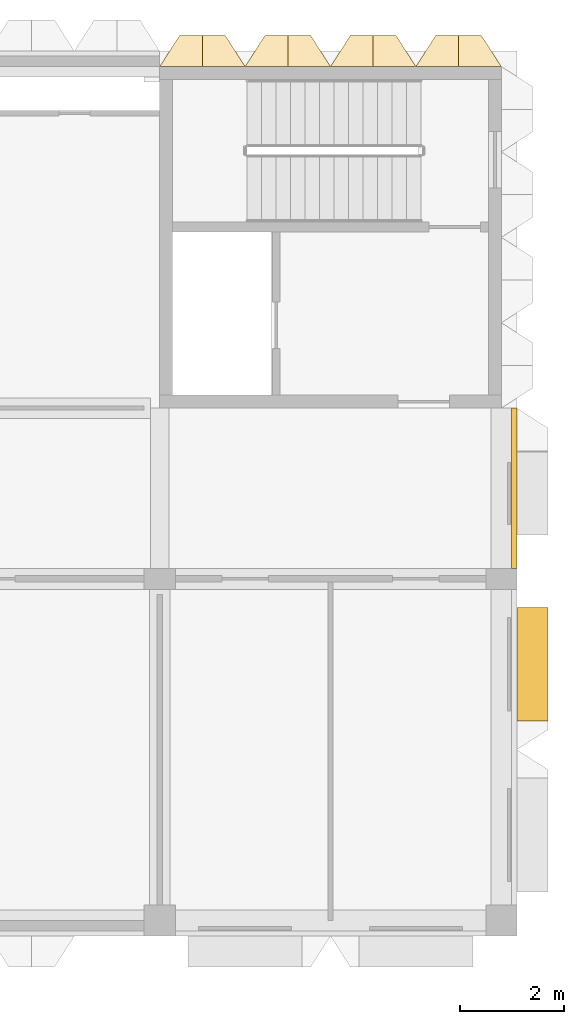
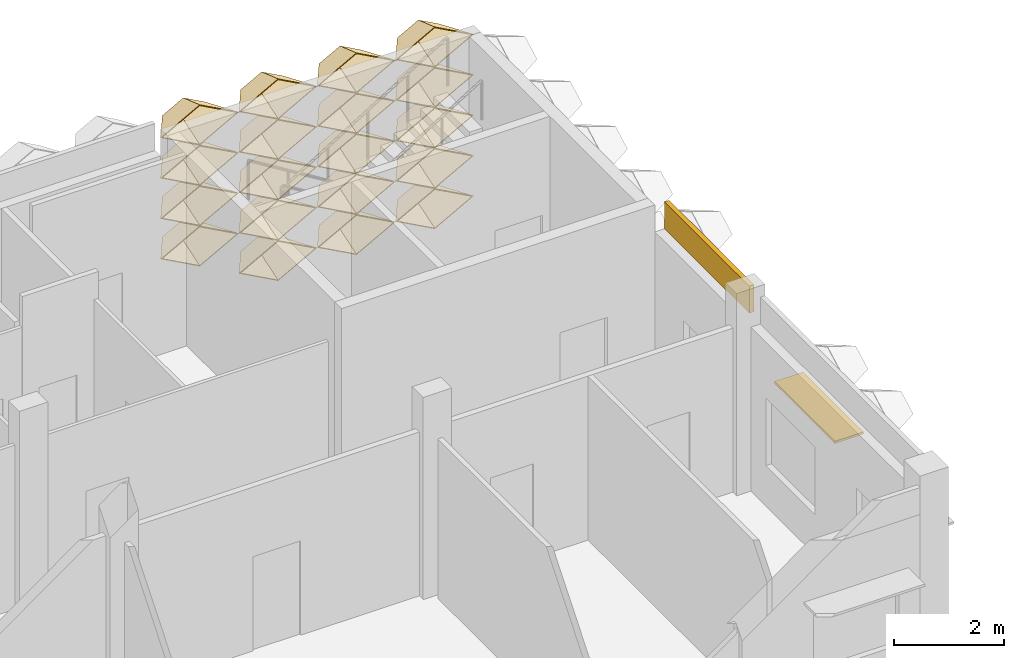
# One storey, part 85 of 87: 20 coverings, 1 shading device.
"""IFC4 building model written with IfcOpenShell, lengths in metres."""

from ifc_helpers import new_model, entity, si_unit, direction, frame, frame_2d, origin, origin_2d, place, context, subcontext, project, spatial, rectangle, extrude, material, layer, layer_set, type_object, element, save


model = new_model("IFC4")

# Units and contexts
model_context = context("Model", 3, precision=1e-05, world=origin(), true_north=direction((0.0, 1.0)))
body_context = subcontext(model_context, "Body", "Model", "MODEL_VIEW")
ifc_project = project(units=[si_unit("LENGTHUNIT", "METRE"), si_unit("AREAUNIT", "SQUARE_METRE"), si_unit("VOLUMEUNIT", "CUBIC_METRE"), si_unit("PLANEANGLEUNIT", "RADIAN"), si_unit("MASSUNIT", "GRAM", prefix="KILO")], contexts=[model_context])

# Site, building, storey
site_placement = place(None, origin())
site = spatial("IfcSite", under=ifc_project, at=site_placement, CompositionType="ELEMENT")
building_placement = place(site_placement, origin())
building = spatial("IfcBuilding", under=site, at=building_placement, Name="Lantern Court Research Institute", CompositionType="ELEMENT")
storey_placement = place(building_placement, frame((0.0, 0.0, 5.39990234375)))
storey = spatial("IfcBuildingStorey", under=building, at=storey_placement, Name="L01", CompositionType="ELEMENT", Elevation=5.39990234375)

# Shading device
ifc_material_1 = material(Name="Aluminium alloy 6063-T6", Category="aluminium")
ifc_layer_1 = layer(ifc_material_1, 0.050048828125)
ifc_layer_set_1 = layer_set([ifc_layer_1], Name="Aluminium alloy 6063-T6")
shading_device_type = type_object("IfcShadingDeviceType", Name="Brise-soleil blade 2200 x 600 x 50 aluminium", PredefinedType="USERDEFINED", material=ifc_layer_set_1)
shading_device_placement = place(storey_placement, frame((79.800048828125, 87.449951171875, 2.5), z_axis=(0.0, 0.0, 1.0), x_axis=(0.0, -1.0, 0.0)))
element("IfcShadingDevice", 1, at=shading_device_placement, inside=storey, type_object=shading_device_type, Name="Brise-soleil blade L01 E", ObjectType="LOUVRE", PredefinedType="USERDEFINED", context=body_context, shape_type="SweptSolid", body=[
    extrude(rectangle(XDim=2.199951171875, YDim=0.60009765625, at=origin_2d()), origin(), (0.0, 0.0, 1.0), 0.050048828125),
])

# Coverings
ifc_material_2 = material(Name="Aluminium composite panel with mineral wool insulation", Category="aluminium")
ifc_layer_2 = layer(ifc_material_2, 0.10009765625)
ifc_layer_set_2 = layer_set([ifc_layer_2], Name="Aluminium composite panel with mineral wool insulation")
covering_type_1 = type_object("IfcCoveringType", Name="Edge fascia panel 100 aluminium faced", PredefinedType="CLADDING", material=ifc_layer_set_2)
covering_1_placement = place(storey_placement, frame((79.449951171875, 92.39990234375, 3.650146484375), z_axis=(0.0, 0.0, 1.0), x_axis=(0.0, -1.0, 0.0)))
element("IfcCovering", 2, at=covering_1_placement, inside=storey, type_object=covering_type_1, Name="Edge fascia V6E L01 02", PredefinedType="CLADDING", context=body_context, shape_type="SweptSolid", body=[
    extrude(rectangle(XDim=3.099853515625, YDim=0.10009765625, at=frame_2d((1.5498046875, 0.0))), origin(), (0.0, 0.0, 1.0), 0.599853515625),
])
ifc_material_3 = material(Name="Anodised aluminium", Category="aluminium")
ifc_layer_3 = layer(ifc_material_3, 0.01611328125)
ifc_layer_set_3 = layer_set([ifc_layer_3], Name="Anodised aluminium")
covering_type_2 = type_object("IfcCoveringType", Name="Fin cassette 1650 x 900 x 600 aluminium", PredefinedType="CLADDING", material=ifc_layer_set_3)
covering_2_placement = place(storey_placement, frame((75.074951171875, 99.0, 0.4501953125), z_axis=(0.0, 1.0, 0.0), x_axis=(-1.0, 0.0, 0.0)))
cartesian_point_1 = entity("IfcCartesianPoint", [0.824951171875, 0.0])
cartesian_point_2 = entity("IfcCartesianPoint", [0.79150390625, 0.0])
cartesian_point_3 = entity("IfcCartesianPoint", [0.44189453125, 0.0])
cartesian_point_4 = entity("IfcCartesianPoint", [0.43359375, 0.0])
element("IfcCovering", 3, at=covering_2_placement, inside=storey, type_object=covering_type_2, Name="Fin cassette V6N-L01 1.46", PredefinedType="CLADDING", context=body_context, shape_type="SweptSolid", body=[
    entity("IfcExtrudedAreaSolidTapered", entity("IfcArbitraryProfileDefWithVoids", "AREA", None, entity("IfcPolyline", [cartesian_point_1, entity("IfcCartesianPoint", [0.0, 0.449951171875]), entity("IfcCartesianPoint", [-0.824951171875, 0.0]), entity("IfcCartesianPoint", [0.0, -0.449951171875]), cartesian_point_1]), [entity("IfcPolyline", [cartesian_point_2, entity("IfcCartesianPoint", [0.0, 0.431884765625]), entity("IfcCartesianPoint", [-0.79150390625, 0.0]), entity("IfcCartesianPoint", [0.0, -0.431884765625]), cartesian_point_2])]), entity("IfcAxis2Placement3D", entity("IfcCartesianPoint", [0.0, 0.0, 0.0])), entity("IfcDirection", [0.0, 0.0, 1.0]), 0.60009765625, entity("IfcArbitraryProfileDefWithVoids", "AREA", None, entity("IfcPolyline", [cartesian_point_3, entity("IfcCartesianPoint", [0.0, 0.240966796875]), entity("IfcCartesianPoint", [-0.44189453125, 0.0]), entity("IfcCartesianPoint", [0.0, -0.240966796875]), cartesian_point_3]), [entity("IfcPolyline", [cartesian_point_4, entity("IfcCartesianPoint", [0.0, 0.236572265625]), entity("IfcCartesianPoint", [-0.43359375, 0.0]), entity("IfcCartesianPoint", [0.0, -0.236572265625]), cartesian_point_4])])),
])
covering_3_placement = place(storey_placement, frame((76.72509765625, 99.0, 0.4501953125), z_axis=(0.0, 1.0, 0.0), x_axis=(-1.0, 0.0, 0.0)))
cartesian_point_5 = entity("IfcCartesianPoint", [0.824951171875, 0.0])
cartesian_point_6 = entity("IfcCartesianPoint", [0.79150390625, 0.0])
cartesian_point_7 = entity("IfcCartesianPoint", [0.44189453125, 0.0])
cartesian_point_8 = entity("IfcCartesianPoint", [0.43359375, 0.0])
element("IfcCovering", 4, at=covering_3_placement, inside=storey, type_object=covering_type_2, Name="Fin cassette V6N-L01 1.47", PredefinedType="CLADDING", context=body_context, shape_type="SweptSolid", body=[
    entity("IfcExtrudedAreaSolidTapered", entity("IfcArbitraryProfileDefWithVoids", "AREA", None, entity("IfcPolyline", [cartesian_point_5, entity("IfcCartesianPoint", [0.0, 0.449951171875]), entity("IfcCartesianPoint", [-0.824951171875, 0.0]), entity("IfcCartesianPoint", [0.0, -0.449951171875]), cartesian_point_5]), [entity("IfcPolyline", [cartesian_point_6, entity("IfcCartesianPoint", [0.0, 0.431884765625]), entity("IfcCartesianPoint", [-0.79150390625, 0.0]), entity("IfcCartesianPoint", [0.0, -0.431884765625]), cartesian_point_6])]), entity("IfcAxis2Placement3D", entity("IfcCartesianPoint", [0.0, 0.0, 0.0])), entity("IfcDirection", [0.0, 0.0, 1.0]), 0.60009765625, entity("IfcArbitraryProfileDefWithVoids", "AREA", None, entity("IfcPolyline", [cartesian_point_7, entity("IfcCartesianPoint", [0.0, 0.240966796875]), entity("IfcCartesianPoint", [-0.44189453125, 0.0]), entity("IfcCartesianPoint", [0.0, -0.240966796875]), cartesian_point_7]), [entity("IfcPolyline", [cartesian_point_8, entity("IfcCartesianPoint", [0.0, 0.236572265625]), entity("IfcCartesianPoint", [-0.43359375, 0.0]), entity("IfcCartesianPoint", [0.0, -0.236572265625]), cartesian_point_8])])),
])
covering_4_placement = place(storey_placement, frame((78.375, 99.0, 0.4501953125), z_axis=(0.0, 1.0, 0.0), x_axis=(-1.0, 0.0, 0.0)))
cartesian_point_9 = entity("IfcCartesianPoint", [0.824951171875, 0.0])
cartesian_point_10 = entity("IfcCartesianPoint", [0.79150390625, 0.0])
cartesian_point_11 = entity("IfcCartesianPoint", [0.44189453125, 0.0])
cartesian_point_12 = entity("IfcCartesianPoint", [0.43359375, 0.0])
element("IfcCovering", 5, at=covering_4_placement, inside=storey, type_object=covering_type_2, Name="Fin cassette V6N-L01 1.48", PredefinedType="CLADDING", context=body_context, shape_type="SweptSolid", body=[
    entity("IfcExtrudedAreaSolidTapered", entity("IfcArbitraryProfileDefWithVoids", "AREA", None, entity("IfcPolyline", [cartesian_point_9, entity("IfcCartesianPoint", [0.0, 0.449951171875]), entity("IfcCartesianPoint", [-0.824951171875, 0.0]), entity("IfcCartesianPoint", [0.0, -0.449951171875]), cartesian_point_9]), [entity("IfcPolyline", [cartesian_point_10, entity("IfcCartesianPoint", [0.0, 0.431884765625]), entity("IfcCartesianPoint", [-0.79150390625, 0.0]), entity("IfcCartesianPoint", [0.0, -0.431884765625]), cartesian_point_10])]), entity("IfcAxis2Placement3D", entity("IfcCartesianPoint", [0.0, 0.0, 0.0])), entity("IfcDirection", [0.0, 0.0, 1.0]), 0.60009765625, entity("IfcArbitraryProfileDefWithVoids", "AREA", None, entity("IfcPolyline", [cartesian_point_11, entity("IfcCartesianPoint", [0.0, 0.240966796875]), entity("IfcCartesianPoint", [-0.44189453125, 0.0]), entity("IfcCartesianPoint", [0.0, -0.240966796875]), cartesian_point_11]), [entity("IfcPolyline", [cartesian_point_12, entity("IfcCartesianPoint", [0.0, 0.236572265625]), entity("IfcCartesianPoint", [-0.43359375, 0.0]), entity("IfcCartesianPoint", [0.0, -0.236572265625]), cartesian_point_12])])),
])
covering_5_placement = place(storey_placement, frame((73.425048828125, 99.0, 1.35009765625), z_axis=(0.0, 1.0, 0.0), x_axis=(-1.0, 0.0, 0.0)))
cartesian_point_13 = entity("IfcCartesianPoint", [0.824951171875, 0.0])
cartesian_point_14 = entity("IfcCartesianPoint", [0.79150390625, 0.0])
cartesian_point_15 = entity("IfcCartesianPoint", [0.44189453125, 0.0])
cartesian_point_16 = entity("IfcCartesianPoint", [0.43359375, 0.0])
element("IfcCovering", 6, at=covering_5_placement, inside=storey, type_object=covering_type_2, Name="Fin cassette V6N-L01 2.45", PredefinedType="CLADDING", context=body_context, shape_type="SweptSolid", body=[
    entity("IfcExtrudedAreaSolidTapered", entity("IfcArbitraryProfileDefWithVoids", "AREA", None, entity("IfcPolyline", [cartesian_point_13, entity("IfcCartesianPoint", [0.0, 0.449951171875]), entity("IfcCartesianPoint", [-0.824951171875, 0.0]), entity("IfcCartesianPoint", [0.0, -0.449951171875]), cartesian_point_13]), [entity("IfcPolyline", [cartesian_point_14, entity("IfcCartesianPoint", [0.0, 0.431884765625]), entity("IfcCartesianPoint", [-0.79150390625, 0.0]), entity("IfcCartesianPoint", [0.0, -0.431884765625]), cartesian_point_14])]), entity("IfcAxis2Placement3D", entity("IfcCartesianPoint", [0.0, 0.0, 0.0])), entity("IfcDirection", [0.0, 0.0, 1.0]), 0.60009765625, entity("IfcArbitraryProfileDefWithVoids", "AREA", None, entity("IfcPolyline", [cartesian_point_15, entity("IfcCartesianPoint", [0.0, 0.240966796875]), entity("IfcCartesianPoint", [-0.44189453125, 0.0]), entity("IfcCartesianPoint", [0.0, -0.240966796875]), cartesian_point_15]), [entity("IfcPolyline", [cartesian_point_16, entity("IfcCartesianPoint", [0.0, 0.236572265625]), entity("IfcCartesianPoint", [-0.43359375, 0.0]), entity("IfcCartesianPoint", [0.0, -0.236572265625]), cartesian_point_16])])),
])
covering_6_placement = place(storey_placement, frame((75.074951171875, 99.0, 1.35009765625), z_axis=(0.0, 1.0, 0.0), x_axis=(-1.0, 0.0, 0.0)))
cartesian_point_17 = entity("IfcCartesianPoint", [0.824951171875, 0.0])
cartesian_point_18 = entity("IfcCartesianPoint", [0.79150390625, 0.0])
cartesian_point_19 = entity("IfcCartesianPoint", [0.44189453125, 0.0])
cartesian_point_20 = entity("IfcCartesianPoint", [0.43359375, 0.0])
element("IfcCovering", 7, at=covering_6_placement, inside=storey, type_object=covering_type_2, Name="Fin cassette V6N-L01 2.46", PredefinedType="CLADDING", context=body_context, shape_type="SweptSolid", body=[
    entity("IfcExtrudedAreaSolidTapered", entity("IfcArbitraryProfileDefWithVoids", "AREA", None, entity("IfcPolyline", [cartesian_point_17, entity("IfcCartesianPoint", [0.0, 0.449951171875]), entity("IfcCartesianPoint", [-0.824951171875, 0.0]), entity("IfcCartesianPoint", [0.0, -0.449951171875]), cartesian_point_17]), [entity("IfcPolyline", [cartesian_point_18, entity("IfcCartesianPoint", [0.0, 0.431884765625]), entity("IfcCartesianPoint", [-0.79150390625, 0.0]), entity("IfcCartesianPoint", [0.0, -0.431884765625]), cartesian_point_18])]), entity("IfcAxis2Placement3D", entity("IfcCartesianPoint", [0.0, 0.0, 0.0])), entity("IfcDirection", [0.0, 0.0, 1.0]), 0.60009765625, entity("IfcArbitraryProfileDefWithVoids", "AREA", None, entity("IfcPolyline", [cartesian_point_19, entity("IfcCartesianPoint", [0.0, 0.240966796875]), entity("IfcCartesianPoint", [-0.44189453125, 0.0]), entity("IfcCartesianPoint", [0.0, -0.240966796875]), cartesian_point_19]), [entity("IfcPolyline", [cartesian_point_20, entity("IfcCartesianPoint", [0.0, 0.236572265625]), entity("IfcCartesianPoint", [-0.43359375, 0.0]), entity("IfcCartesianPoint", [0.0, -0.236572265625]), cartesian_point_20])])),
])
covering_7_placement = place(storey_placement, frame((76.72509765625, 99.0, 1.35009765625), z_axis=(0.0, 1.0, 0.0), x_axis=(-1.0, 0.0, 0.0)))
cartesian_point_21 = entity("IfcCartesianPoint", [0.824951171875, 0.0])
cartesian_point_22 = entity("IfcCartesianPoint", [0.79150390625, 0.0])
cartesian_point_23 = entity("IfcCartesianPoint", [0.44189453125, 0.0])
cartesian_point_24 = entity("IfcCartesianPoint", [0.43359375, 0.0])
element("IfcCovering", 8, at=covering_7_placement, inside=storey, type_object=covering_type_2, Name="Fin cassette V6N-L01 2.47", PredefinedType="CLADDING", context=body_context, shape_type="SweptSolid", body=[
    entity("IfcExtrudedAreaSolidTapered", entity("IfcArbitraryProfileDefWithVoids", "AREA", None, entity("IfcPolyline", [cartesian_point_21, entity("IfcCartesianPoint", [0.0, 0.449951171875]), entity("IfcCartesianPoint", [-0.824951171875, 0.0]), entity("IfcCartesianPoint", [0.0, -0.449951171875]), cartesian_point_21]), [entity("IfcPolyline", [cartesian_point_22, entity("IfcCartesianPoint", [0.0, 0.431884765625]), entity("IfcCartesianPoint", [-0.79150390625, 0.0]), entity("IfcCartesianPoint", [0.0, -0.431884765625]), cartesian_point_22])]), entity("IfcAxis2Placement3D", entity("IfcCartesianPoint", [0.0, 0.0, 0.0])), entity("IfcDirection", [0.0, 0.0, 1.0]), 0.60009765625, entity("IfcArbitraryProfileDefWithVoids", "AREA", None, entity("IfcPolyline", [cartesian_point_23, entity("IfcCartesianPoint", [0.0, 0.240966796875]), entity("IfcCartesianPoint", [-0.44189453125, 0.0]), entity("IfcCartesianPoint", [0.0, -0.240966796875]), cartesian_point_23]), [entity("IfcPolyline", [cartesian_point_24, entity("IfcCartesianPoint", [0.0, 0.236572265625]), entity("IfcCartesianPoint", [-0.43359375, 0.0]), entity("IfcCartesianPoint", [0.0, -0.236572265625]), cartesian_point_24])])),
])
covering_8_placement = place(storey_placement, frame((78.375, 99.0, 1.35009765625), z_axis=(0.0, 1.0, 0.0), x_axis=(-1.0, 0.0, 0.0)))
cartesian_point_25 = entity("IfcCartesianPoint", [0.824951171875, 0.0])
cartesian_point_26 = entity("IfcCartesianPoint", [0.79150390625, 0.0])
cartesian_point_27 = entity("IfcCartesianPoint", [0.44189453125, 0.0])
cartesian_point_28 = entity("IfcCartesianPoint", [0.43359375, 0.0])
element("IfcCovering", 9, at=covering_8_placement, inside=storey, type_object=covering_type_2, Name="Fin cassette V6N-L01 2.48", PredefinedType="CLADDING", context=body_context, shape_type="SweptSolid", body=[
    entity("IfcExtrudedAreaSolidTapered", entity("IfcArbitraryProfileDefWithVoids", "AREA", None, entity("IfcPolyline", [cartesian_point_25, entity("IfcCartesianPoint", [0.0, 0.449951171875]), entity("IfcCartesianPoint", [-0.824951171875, 0.0]), entity("IfcCartesianPoint", [0.0, -0.449951171875]), cartesian_point_25]), [entity("IfcPolyline", [cartesian_point_26, entity("IfcCartesianPoint", [0.0, 0.431884765625]), entity("IfcCartesianPoint", [-0.79150390625, 0.0]), entity("IfcCartesianPoint", [0.0, -0.431884765625]), cartesian_point_26])]), entity("IfcAxis2Placement3D", entity("IfcCartesianPoint", [0.0, 0.0, 0.0])), entity("IfcDirection", [0.0, 0.0, 1.0]), 0.60009765625, entity("IfcArbitraryProfileDefWithVoids", "AREA", None, entity("IfcPolyline", [cartesian_point_27, entity("IfcCartesianPoint", [0.0, 0.240966796875]), entity("IfcCartesianPoint", [-0.44189453125, 0.0]), entity("IfcCartesianPoint", [0.0, -0.240966796875]), cartesian_point_27]), [entity("IfcPolyline", [cartesian_point_28, entity("IfcCartesianPoint", [0.0, 0.236572265625]), entity("IfcCartesianPoint", [-0.43359375, 0.0]), entity("IfcCartesianPoint", [0.0, -0.236572265625]), cartesian_point_28])])),
])
covering_9_placement = place(storey_placement, frame((73.425048828125, 99.0, 2.25), z_axis=(0.0, 1.0, 0.0), x_axis=(-1.0, 0.0, 0.0)))
cartesian_point_29 = entity("IfcCartesianPoint", [0.824951171875, 0.0])
cartesian_point_30 = entity("IfcCartesianPoint", [0.79150390625, 0.0])
cartesian_point_31 = entity("IfcCartesianPoint", [0.44189453125, 0.0])
cartesian_point_32 = entity("IfcCartesianPoint", [0.43359375, 0.0])
element("IfcCovering", 10, at=covering_9_placement, inside=storey, type_object=covering_type_2, Name="Fin cassette V6N-L01 3.45", PredefinedType="CLADDING", context=body_context, shape_type="SweptSolid", body=[
    entity("IfcExtrudedAreaSolidTapered", entity("IfcArbitraryProfileDefWithVoids", "AREA", None, entity("IfcPolyline", [cartesian_point_29, entity("IfcCartesianPoint", [0.0, 0.449951171875]), entity("IfcCartesianPoint", [-0.824951171875, 0.0]), entity("IfcCartesianPoint", [0.0, -0.449951171875]), cartesian_point_29]), [entity("IfcPolyline", [cartesian_point_30, entity("IfcCartesianPoint", [0.0, 0.431884765625]), entity("IfcCartesianPoint", [-0.79150390625, 0.0]), entity("IfcCartesianPoint", [0.0, -0.431884765625]), cartesian_point_30])]), entity("IfcAxis2Placement3D", entity("IfcCartesianPoint", [0.0, 0.0, 0.0])), entity("IfcDirection", [0.0, 0.0, 1.0]), 0.60009765625, entity("IfcArbitraryProfileDefWithVoids", "AREA", None, entity("IfcPolyline", [cartesian_point_31, entity("IfcCartesianPoint", [0.0, 0.240966796875]), entity("IfcCartesianPoint", [-0.44189453125, 0.0]), entity("IfcCartesianPoint", [0.0, -0.240966796875]), cartesian_point_31]), [entity("IfcPolyline", [cartesian_point_32, entity("IfcCartesianPoint", [0.0, 0.236572265625]), entity("IfcCartesianPoint", [-0.43359375, 0.0]), entity("IfcCartesianPoint", [0.0, -0.236572265625]), cartesian_point_32])])),
])
covering_10_placement = place(storey_placement, frame((75.074951171875, 99.0, 2.25), z_axis=(0.0, 1.0, 0.0), x_axis=(-1.0, 0.0, 0.0)))
cartesian_point_33 = entity("IfcCartesianPoint", [0.824951171875, 0.0])
cartesian_point_34 = entity("IfcCartesianPoint", [0.79150390625, 0.0])
cartesian_point_35 = entity("IfcCartesianPoint", [0.44189453125, 0.0])
cartesian_point_36 = entity("IfcCartesianPoint", [0.43359375, 0.0])
element("IfcCovering", 11, at=covering_10_placement, inside=storey, type_object=covering_type_2, Name="Fin cassette V6N-L01 3.46", PredefinedType="CLADDING", context=body_context, shape_type="SweptSolid", body=[
    entity("IfcExtrudedAreaSolidTapered", entity("IfcArbitraryProfileDefWithVoids", "AREA", None, entity("IfcPolyline", [cartesian_point_33, entity("IfcCartesianPoint", [0.0, 0.449951171875]), entity("IfcCartesianPoint", [-0.824951171875, 0.0]), entity("IfcCartesianPoint", [0.0, -0.449951171875]), cartesian_point_33]), [entity("IfcPolyline", [cartesian_point_34, entity("IfcCartesianPoint", [0.0, 0.431884765625]), entity("IfcCartesianPoint", [-0.79150390625, 0.0]), entity("IfcCartesianPoint", [0.0, -0.431884765625]), cartesian_point_34])]), entity("IfcAxis2Placement3D", entity("IfcCartesianPoint", [0.0, 0.0, 0.0])), entity("IfcDirection", [0.0, 0.0, 1.0]), 0.60009765625, entity("IfcArbitraryProfileDefWithVoids", "AREA", None, entity("IfcPolyline", [cartesian_point_35, entity("IfcCartesianPoint", [0.0, 0.240966796875]), entity("IfcCartesianPoint", [-0.44189453125, 0.0]), entity("IfcCartesianPoint", [0.0, -0.240966796875]), cartesian_point_35]), [entity("IfcPolyline", [cartesian_point_36, entity("IfcCartesianPoint", [0.0, 0.236572265625]), entity("IfcCartesianPoint", [-0.43359375, 0.0]), entity("IfcCartesianPoint", [0.0, -0.236572265625]), cartesian_point_36])])),
])
covering_11_placement = place(storey_placement, frame((76.72509765625, 99.0, 2.25), z_axis=(0.0, 1.0, 0.0), x_axis=(-1.0, 0.0, 0.0)))
cartesian_point_37 = entity("IfcCartesianPoint", [0.824951171875, 0.0])
cartesian_point_38 = entity("IfcCartesianPoint", [0.79150390625, 0.0])
cartesian_point_39 = entity("IfcCartesianPoint", [0.44189453125, 0.0])
cartesian_point_40 = entity("IfcCartesianPoint", [0.43359375, 0.0])
element("IfcCovering", 12, at=covering_11_placement, inside=storey, type_object=covering_type_2, Name="Fin cassette V6N-L01 3.47", PredefinedType="CLADDING", context=body_context, shape_type="SweptSolid", body=[
    entity("IfcExtrudedAreaSolidTapered", entity("IfcArbitraryProfileDefWithVoids", "AREA", None, entity("IfcPolyline", [cartesian_point_37, entity("IfcCartesianPoint", [0.0, 0.449951171875]), entity("IfcCartesianPoint", [-0.824951171875, 0.0]), entity("IfcCartesianPoint", [0.0, -0.449951171875]), cartesian_point_37]), [entity("IfcPolyline", [cartesian_point_38, entity("IfcCartesianPoint", [0.0, 0.431884765625]), entity("IfcCartesianPoint", [-0.79150390625, 0.0]), entity("IfcCartesianPoint", [0.0, -0.431884765625]), cartesian_point_38])]), entity("IfcAxis2Placement3D", entity("IfcCartesianPoint", [0.0, 0.0, 0.0])), entity("IfcDirection", [0.0, 0.0, 1.0]), 0.60009765625, entity("IfcArbitraryProfileDefWithVoids", "AREA", None, entity("IfcPolyline", [cartesian_point_39, entity("IfcCartesianPoint", [0.0, 0.240966796875]), entity("IfcCartesianPoint", [-0.44189453125, 0.0]), entity("IfcCartesianPoint", [0.0, -0.240966796875]), cartesian_point_39]), [entity("IfcPolyline", [cartesian_point_40, entity("IfcCartesianPoint", [0.0, 0.236572265625]), entity("IfcCartesianPoint", [-0.43359375, 0.0]), entity("IfcCartesianPoint", [0.0, -0.236572265625]), cartesian_point_40])])),
])
covering_12_placement = place(storey_placement, frame((78.375, 99.0, 2.25), z_axis=(0.0, 1.0, 0.0), x_axis=(-1.0, 0.0, 0.0)))
cartesian_point_41 = entity("IfcCartesianPoint", [0.824951171875, 0.0])
cartesian_point_42 = entity("IfcCartesianPoint", [0.79150390625, 0.0])
cartesian_point_43 = entity("IfcCartesianPoint", [0.44189453125, 0.0])
cartesian_point_44 = entity("IfcCartesianPoint", [0.43359375, 0.0])
element("IfcCovering", 13, at=covering_12_placement, inside=storey, type_object=covering_type_2, Name="Fin cassette V6N-L01 3.48", PredefinedType="CLADDING", context=body_context, shape_type="SweptSolid", body=[
    entity("IfcExtrudedAreaSolidTapered", entity("IfcArbitraryProfileDefWithVoids", "AREA", None, entity("IfcPolyline", [cartesian_point_41, entity("IfcCartesianPoint", [0.0, 0.449951171875]), entity("IfcCartesianPoint", [-0.824951171875, 0.0]), entity("IfcCartesianPoint", [0.0, -0.449951171875]), cartesian_point_41]), [entity("IfcPolyline", [cartesian_point_42, entity("IfcCartesianPoint", [0.0, 0.431884765625]), entity("IfcCartesianPoint", [-0.79150390625, 0.0]), entity("IfcCartesianPoint", [0.0, -0.431884765625]), cartesian_point_42])]), entity("IfcAxis2Placement3D", entity("IfcCartesianPoint", [0.0, 0.0, 0.0])), entity("IfcDirection", [0.0, 0.0, 1.0]), 0.60009765625, entity("IfcArbitraryProfileDefWithVoids", "AREA", None, entity("IfcPolyline", [cartesian_point_43, entity("IfcCartesianPoint", [0.0, 0.240966796875]), entity("IfcCartesianPoint", [-0.44189453125, 0.0]), entity("IfcCartesianPoint", [0.0, -0.240966796875]), cartesian_point_43]), [entity("IfcPolyline", [cartesian_point_44, entity("IfcCartesianPoint", [0.0, 0.236572265625]), entity("IfcCartesianPoint", [-0.43359375, 0.0]), entity("IfcCartesianPoint", [0.0, -0.236572265625]), cartesian_point_44])])),
])
covering_13_placement = place(storey_placement, frame((73.425048828125, 99.0, 3.150146484375), z_axis=(0.0, 1.0, 0.0), x_axis=(-1.0, 0.0, 0.0)))
cartesian_point_45 = entity("IfcCartesianPoint", [0.824951171875, 0.0])
cartesian_point_46 = entity("IfcCartesianPoint", [0.79150390625, 0.0])
cartesian_point_47 = entity("IfcCartesianPoint", [0.44189453125, 0.0])
cartesian_point_48 = entity("IfcCartesianPoint", [0.43359375, 0.0])
element("IfcCovering", 14, at=covering_13_placement, inside=storey, type_object=covering_type_2, Name="Fin cassette V6N-L01 4.45", PredefinedType="CLADDING", context=body_context, shape_type="SweptSolid", body=[
    entity("IfcExtrudedAreaSolidTapered", entity("IfcArbitraryProfileDefWithVoids", "AREA", None, entity("IfcPolyline", [cartesian_point_45, entity("IfcCartesianPoint", [0.0, 0.449951171875]), entity("IfcCartesianPoint", [-0.824951171875, 0.0]), entity("IfcCartesianPoint", [0.0, -0.449951171875]), cartesian_point_45]), [entity("IfcPolyline", [cartesian_point_46, entity("IfcCartesianPoint", [0.0, 0.431884765625]), entity("IfcCartesianPoint", [-0.79150390625, 0.0]), entity("IfcCartesianPoint", [0.0, -0.431884765625]), cartesian_point_46])]), entity("IfcAxis2Placement3D", entity("IfcCartesianPoint", [0.0, 0.0, 0.0])), entity("IfcDirection", [0.0, 0.0, 1.0]), 0.60009765625, entity("IfcArbitraryProfileDefWithVoids", "AREA", None, entity("IfcPolyline", [cartesian_point_47, entity("IfcCartesianPoint", [0.0, 0.240966796875]), entity("IfcCartesianPoint", [-0.44189453125, 0.0]), entity("IfcCartesianPoint", [0.0, -0.240966796875]), cartesian_point_47]), [entity("IfcPolyline", [cartesian_point_48, entity("IfcCartesianPoint", [0.0, 0.236572265625]), entity("IfcCartesianPoint", [-0.43359375, 0.0]), entity("IfcCartesianPoint", [0.0, -0.236572265625]), cartesian_point_48])])),
])
covering_14_placement = place(storey_placement, frame((75.074951171875, 99.0, 3.150146484375), z_axis=(0.0, 1.0, 0.0), x_axis=(-1.0, 0.0, 0.0)))
cartesian_point_49 = entity("IfcCartesianPoint", [0.824951171875, 0.0])
cartesian_point_50 = entity("IfcCartesianPoint", [0.79150390625, 0.0])
cartesian_point_51 = entity("IfcCartesianPoint", [0.44189453125, 0.0])
cartesian_point_52 = entity("IfcCartesianPoint", [0.43359375, 0.0])
element("IfcCovering", 15, at=covering_14_placement, inside=storey, type_object=covering_type_2, Name="Fin cassette V6N-L01 4.46", PredefinedType="CLADDING", context=body_context, shape_type="SweptSolid", body=[
    entity("IfcExtrudedAreaSolidTapered", entity("IfcArbitraryProfileDefWithVoids", "AREA", None, entity("IfcPolyline", [cartesian_point_49, entity("IfcCartesianPoint", [0.0, 0.449951171875]), entity("IfcCartesianPoint", [-0.824951171875, 0.0]), entity("IfcCartesianPoint", [0.0, -0.449951171875]), cartesian_point_49]), [entity("IfcPolyline", [cartesian_point_50, entity("IfcCartesianPoint", [0.0, 0.431884765625]), entity("IfcCartesianPoint", [-0.79150390625, 0.0]), entity("IfcCartesianPoint", [0.0, -0.431884765625]), cartesian_point_50])]), entity("IfcAxis2Placement3D", entity("IfcCartesianPoint", [0.0, 0.0, 0.0])), entity("IfcDirection", [0.0, 0.0, 1.0]), 0.60009765625, entity("IfcArbitraryProfileDefWithVoids", "AREA", None, entity("IfcPolyline", [cartesian_point_51, entity("IfcCartesianPoint", [0.0, 0.240966796875]), entity("IfcCartesianPoint", [-0.44189453125, 0.0]), entity("IfcCartesianPoint", [0.0, -0.240966796875]), cartesian_point_51]), [entity("IfcPolyline", [cartesian_point_52, entity("IfcCartesianPoint", [0.0, 0.236572265625]), entity("IfcCartesianPoint", [-0.43359375, 0.0]), entity("IfcCartesianPoint", [0.0, -0.236572265625]), cartesian_point_52])])),
])
covering_15_placement = place(storey_placement, frame((76.72509765625, 99.0, 3.150146484375), z_axis=(0.0, 1.0, 0.0), x_axis=(-1.0, 0.0, 0.0)))
cartesian_point_53 = entity("IfcCartesianPoint", [0.824951171875, 0.0])
cartesian_point_54 = entity("IfcCartesianPoint", [0.79150390625, 0.0])
cartesian_point_55 = entity("IfcCartesianPoint", [0.44189453125, 0.0])
cartesian_point_56 = entity("IfcCartesianPoint", [0.43359375, 0.0])
element("IfcCovering", 16, at=covering_15_placement, inside=storey, type_object=covering_type_2, Name="Fin cassette V6N-L01 4.47", PredefinedType="CLADDING", context=body_context, shape_type="SweptSolid", body=[
    entity("IfcExtrudedAreaSolidTapered", entity("IfcArbitraryProfileDefWithVoids", "AREA", None, entity("IfcPolyline", [cartesian_point_53, entity("IfcCartesianPoint", [0.0, 0.449951171875]), entity("IfcCartesianPoint", [-0.824951171875, 0.0]), entity("IfcCartesianPoint", [0.0, -0.449951171875]), cartesian_point_53]), [entity("IfcPolyline", [cartesian_point_54, entity("IfcCartesianPoint", [0.0, 0.431884765625]), entity("IfcCartesianPoint", [-0.79150390625, 0.0]), entity("IfcCartesianPoint", [0.0, -0.431884765625]), cartesian_point_54])]), entity("IfcAxis2Placement3D", entity("IfcCartesianPoint", [0.0, 0.0, 0.0])), entity("IfcDirection", [0.0, 0.0, 1.0]), 0.60009765625, entity("IfcArbitraryProfileDefWithVoids", "AREA", None, entity("IfcPolyline", [cartesian_point_55, entity("IfcCartesianPoint", [0.0, 0.240966796875]), entity("IfcCartesianPoint", [-0.44189453125, 0.0]), entity("IfcCartesianPoint", [0.0, -0.240966796875]), cartesian_point_55]), [entity("IfcPolyline", [cartesian_point_56, entity("IfcCartesianPoint", [0.0, 0.236572265625]), entity("IfcCartesianPoint", [-0.43359375, 0.0]), entity("IfcCartesianPoint", [0.0, -0.236572265625]), cartesian_point_56])])),
])
covering_16_placement = place(storey_placement, frame((78.375, 99.0, 3.150146484375), z_axis=(0.0, 1.0, 0.0), x_axis=(-1.0, 0.0, 0.0)))
cartesian_point_57 = entity("IfcCartesianPoint", [0.824951171875, 0.0])
cartesian_point_58 = entity("IfcCartesianPoint", [0.79150390625, 0.0])
cartesian_point_59 = entity("IfcCartesianPoint", [0.44189453125, 0.0])
cartesian_point_60 = entity("IfcCartesianPoint", [0.43359375, 0.0])
element("IfcCovering", 17, at=covering_16_placement, inside=storey, type_object=covering_type_2, Name="Fin cassette V6N-L01 4.48", PredefinedType="CLADDING", context=body_context, shape_type="SweptSolid", body=[
    entity("IfcExtrudedAreaSolidTapered", entity("IfcArbitraryProfileDefWithVoids", "AREA", None, entity("IfcPolyline", [cartesian_point_57, entity("IfcCartesianPoint", [0.0, 0.449951171875]), entity("IfcCartesianPoint", [-0.824951171875, 0.0]), entity("IfcCartesianPoint", [0.0, -0.449951171875]), cartesian_point_57]), [entity("IfcPolyline", [cartesian_point_58, entity("IfcCartesianPoint", [0.0, 0.431884765625]), entity("IfcCartesianPoint", [-0.79150390625, 0.0]), entity("IfcCartesianPoint", [0.0, -0.431884765625]), cartesian_point_58])]), entity("IfcAxis2Placement3D", entity("IfcCartesianPoint", [0.0, 0.0, 0.0])), entity("IfcDirection", [0.0, 0.0, 1.0]), 0.60009765625, entity("IfcArbitraryProfileDefWithVoids", "AREA", None, entity("IfcPolyline", [cartesian_point_59, entity("IfcCartesianPoint", [0.0, 0.240966796875]), entity("IfcCartesianPoint", [-0.44189453125, 0.0]), entity("IfcCartesianPoint", [0.0, -0.240966796875]), cartesian_point_59]), [entity("IfcPolyline", [cartesian_point_60, entity("IfcCartesianPoint", [0.0, 0.236572265625]), entity("IfcCartesianPoint", [-0.43359375, 0.0]), entity("IfcCartesianPoint", [0.0, -0.236572265625]), cartesian_point_60])])),
])
covering_17_placement = place(storey_placement, frame((73.425048828125, 99.0, 4.050048828125), z_axis=(0.0, 1.0, 0.0), x_axis=(-1.0, 0.0, 0.0)))
cartesian_point_61 = entity("IfcCartesianPoint", [0.824951171875, 0.0])
cartesian_point_62 = entity("IfcCartesianPoint", [0.79150390625, 0.0])
cartesian_point_63 = entity("IfcCartesianPoint", [0.44189453125, 0.0])
cartesian_point_64 = entity("IfcCartesianPoint", [0.43359375, 0.0])
element("IfcCovering", 18, at=covering_17_placement, inside=storey, type_object=covering_type_2, Name="Fin cassette V6N-L01 5.45", PredefinedType="CLADDING", context=body_context, shape_type="SweptSolid", body=[
    entity("IfcExtrudedAreaSolidTapered", entity("IfcArbitraryProfileDefWithVoids", "AREA", None, entity("IfcPolyline", [cartesian_point_61, entity("IfcCartesianPoint", [0.0, 0.449951171875]), entity("IfcCartesianPoint", [-0.824951171875, 0.0]), entity("IfcCartesianPoint", [0.0, -0.449951171875]), cartesian_point_61]), [entity("IfcPolyline", [cartesian_point_62, entity("IfcCartesianPoint", [0.0, 0.431884765625]), entity("IfcCartesianPoint", [-0.79150390625, 0.0]), entity("IfcCartesianPoint", [0.0, -0.431884765625]), cartesian_point_62])]), entity("IfcAxis2Placement3D", entity("IfcCartesianPoint", [0.0, 0.0, 0.0])), entity("IfcDirection", [0.0, 0.0, 1.0]), 0.60009765625, entity("IfcArbitraryProfileDefWithVoids", "AREA", None, entity("IfcPolyline", [cartesian_point_63, entity("IfcCartesianPoint", [0.0, 0.240966796875]), entity("IfcCartesianPoint", [-0.44189453125, 0.0]), entity("IfcCartesianPoint", [0.0, -0.240966796875]), cartesian_point_63]), [entity("IfcPolyline", [cartesian_point_64, entity("IfcCartesianPoint", [0.0, 0.236572265625]), entity("IfcCartesianPoint", [-0.43359375, 0.0]), entity("IfcCartesianPoint", [0.0, -0.236572265625]), cartesian_point_64])])),
])
covering_18_placement = place(storey_placement, frame((75.074951171875, 99.0, 4.050048828125), z_axis=(0.0, 1.0, 0.0), x_axis=(-1.0, 0.0, 0.0)))
cartesian_point_65 = entity("IfcCartesianPoint", [0.824951171875, 0.0])
cartesian_point_66 = entity("IfcCartesianPoint", [0.79150390625, 0.0])
cartesian_point_67 = entity("IfcCartesianPoint", [0.44189453125, 0.0])
cartesian_point_68 = entity("IfcCartesianPoint", [0.43359375, 0.0])
element("IfcCovering", 19, at=covering_18_placement, inside=storey, type_object=covering_type_2, Name="Fin cassette V6N-L01 5.46", PredefinedType="CLADDING", context=body_context, shape_type="SweptSolid", body=[
    entity("IfcExtrudedAreaSolidTapered", entity("IfcArbitraryProfileDefWithVoids", "AREA", None, entity("IfcPolyline", [cartesian_point_65, entity("IfcCartesianPoint", [0.0, 0.449951171875]), entity("IfcCartesianPoint", [-0.824951171875, 0.0]), entity("IfcCartesianPoint", [0.0, -0.449951171875]), cartesian_point_65]), [entity("IfcPolyline", [cartesian_point_66, entity("IfcCartesianPoint", [0.0, 0.431884765625]), entity("IfcCartesianPoint", [-0.79150390625, 0.0]), entity("IfcCartesianPoint", [0.0, -0.431884765625]), cartesian_point_66])]), entity("IfcAxis2Placement3D", entity("IfcCartesianPoint", [0.0, 0.0, 0.0])), entity("IfcDirection", [0.0, 0.0, 1.0]), 0.60009765625, entity("IfcArbitraryProfileDefWithVoids", "AREA", None, entity("IfcPolyline", [cartesian_point_67, entity("IfcCartesianPoint", [0.0, 0.240966796875]), entity("IfcCartesianPoint", [-0.44189453125, 0.0]), entity("IfcCartesianPoint", [0.0, -0.240966796875]), cartesian_point_67]), [entity("IfcPolyline", [cartesian_point_68, entity("IfcCartesianPoint", [0.0, 0.236572265625]), entity("IfcCartesianPoint", [-0.43359375, 0.0]), entity("IfcCartesianPoint", [0.0, -0.236572265625]), cartesian_point_68])])),
])
covering_19_placement = place(storey_placement, frame((76.72509765625, 99.0, 4.050048828125), z_axis=(0.0, 1.0, 0.0), x_axis=(-1.0, 0.0, 0.0)))
cartesian_point_69 = entity("IfcCartesianPoint", [0.824951171875, 0.0])
cartesian_point_70 = entity("IfcCartesianPoint", [0.79150390625, 0.0])
cartesian_point_71 = entity("IfcCartesianPoint", [0.44189453125, 0.0])
cartesian_point_72 = entity("IfcCartesianPoint", [0.43359375, 0.0])
element("IfcCovering", 20, at=covering_19_placement, inside=storey, type_object=covering_type_2, Name="Fin cassette V6N-L01 5.47", PredefinedType="CLADDING", context=body_context, shape_type="SweptSolid", body=[
    entity("IfcExtrudedAreaSolidTapered", entity("IfcArbitraryProfileDefWithVoids", "AREA", None, entity("IfcPolyline", [cartesian_point_69, entity("IfcCartesianPoint", [0.0, 0.449951171875]), entity("IfcCartesianPoint", [-0.824951171875, 0.0]), entity("IfcCartesianPoint", [0.0, -0.449951171875]), cartesian_point_69]), [entity("IfcPolyline", [cartesian_point_70, entity("IfcCartesianPoint", [0.0, 0.431884765625]), entity("IfcCartesianPoint", [-0.79150390625, 0.0]), entity("IfcCartesianPoint", [0.0, -0.431884765625]), cartesian_point_70])]), entity("IfcAxis2Placement3D", entity("IfcCartesianPoint", [0.0, 0.0, 0.0])), entity("IfcDirection", [0.0, 0.0, 1.0]), 0.60009765625, entity("IfcArbitraryProfileDefWithVoids", "AREA", None, entity("IfcPolyline", [cartesian_point_71, entity("IfcCartesianPoint", [0.0, 0.240966796875]), entity("IfcCartesianPoint", [-0.44189453125, 0.0]), entity("IfcCartesianPoint", [0.0, -0.240966796875]), cartesian_point_71]), [entity("IfcPolyline", [cartesian_point_72, entity("IfcCartesianPoint", [0.0, 0.236572265625]), entity("IfcCartesianPoint", [-0.43359375, 0.0]), entity("IfcCartesianPoint", [0.0, -0.236572265625]), cartesian_point_72])])),
])
covering_20_placement = place(storey_placement, frame((78.375, 99.0, 4.050048828125), z_axis=(0.0, 1.0, 0.0), x_axis=(-1.0, 0.0, 0.0)))
cartesian_point_73 = entity("IfcCartesianPoint", [0.824951171875, 0.0])
cartesian_point_74 = entity("IfcCartesianPoint", [0.79150390625, 0.0])
cartesian_point_75 = entity("IfcCartesianPoint", [0.44189453125, 0.0])
cartesian_point_76 = entity("IfcCartesianPoint", [0.43359375, 0.0])
element("IfcCovering", 21, at=covering_20_placement, inside=storey, type_object=covering_type_2, Name="Fin cassette V6N-L01 5.48", PredefinedType="CLADDING", context=body_context, shape_type="SweptSolid", body=[
    entity("IfcExtrudedAreaSolidTapered", entity("IfcArbitraryProfileDefWithVoids", "AREA", None, entity("IfcPolyline", [cartesian_point_73, entity("IfcCartesianPoint", [0.0, 0.449951171875]), entity("IfcCartesianPoint", [-0.824951171875, 0.0]), entity("IfcCartesianPoint", [0.0, -0.449951171875]), cartesian_point_73]), [entity("IfcPolyline", [cartesian_point_74, entity("IfcCartesianPoint", [0.0, 0.431884765625]), entity("IfcCartesianPoint", [-0.79150390625, 0.0]), entity("IfcCartesianPoint", [0.0, -0.431884765625]), cartesian_point_74])]), entity("IfcAxis2Placement3D", entity("IfcCartesianPoint", [0.0, 0.0, 0.0])), entity("IfcDirection", [0.0, 0.0, 1.0]), 0.60009765625, entity("IfcArbitraryProfileDefWithVoids", "AREA", None, entity("IfcPolyline", [cartesian_point_75, entity("IfcCartesianPoint", [0.0, 0.240966796875]), entity("IfcCartesianPoint", [-0.44189453125, 0.0]), entity("IfcCartesianPoint", [0.0, -0.240966796875]), cartesian_point_75]), [entity("IfcPolyline", [cartesian_point_76, entity("IfcCartesianPoint", [0.0, 0.236572265625]), entity("IfcCartesianPoint", [-0.43359375, 0.0]), entity("IfcCartesianPoint", [0.0, -0.236572265625]), cartesian_point_76])])),
])

save(model, "model.ifc")
